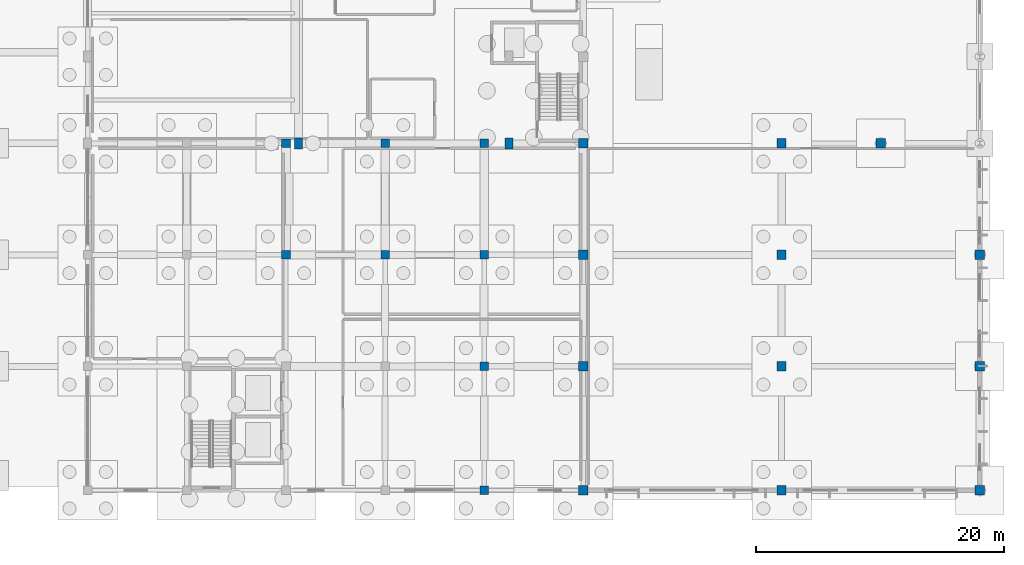
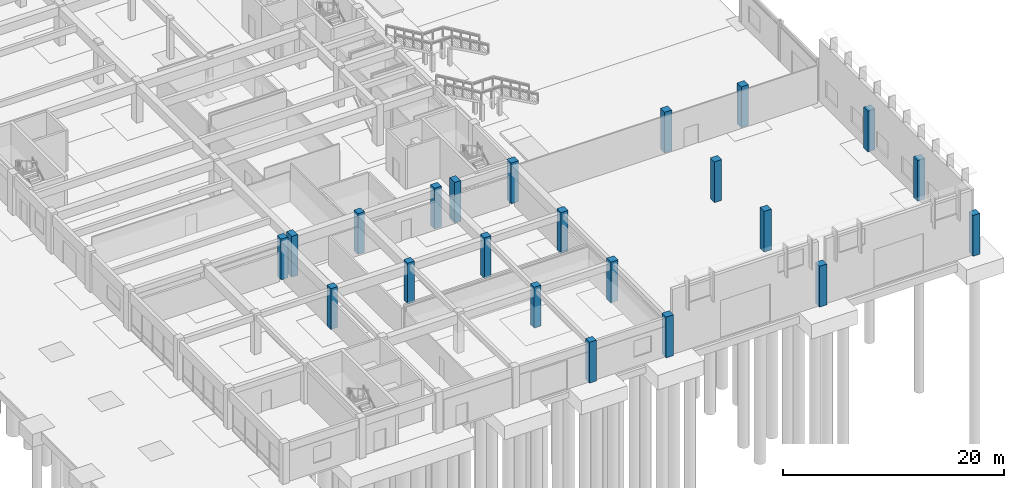
# One storey, part 14 of 84: 22 columns.
"""IFC4 building model written with IfcOpenShell, lengths in metres."""

from ifc_helpers import new_model, si_unit, direction, frame, origin, origin_2d, place, context, subcontext, project, spatial, rectangle, extrude, material, material_profile, profile_set, type_object, element, save


model = new_model("IFC4")

# Units and contexts
model_context = context("Model", 3, precision=1e-05, world=origin(), true_north=direction((0.0, 1.0)))
body_context = subcontext(model_context, "Body", "Model", "MODEL_VIEW")
ifc_project = project(units=[si_unit("LENGTHUNIT", "METRE"), si_unit("AREAUNIT", "SQUARE_METRE"), si_unit("VOLUMEUNIT", "CUBIC_METRE"), si_unit("PLANEANGLEUNIT", "RADIAN"), si_unit("MASSUNIT", "GRAM", prefix="KILO")], contexts=[model_context])

# Site, building, storey
site_placement = place(None, origin())
site = spatial("IfcSite", under=ifc_project, at=site_placement, CompositionType="ELEMENT")
building_placement = place(site_placement, origin())
building = spatial("IfcBuilding", under=site, at=building_placement, Name="Larkveld Mobility Hub", CompositionType="ELEMENT")
storey_placement = place(building_placement, origin())
storey = spatial("IfcBuildingStorey", under=building, at=storey_placement, Name="L00", CompositionType="ELEMENT", Elevation=0.0)

# Columns
ifc_material_1 = material(Name="Precast concrete C50/60", Category="concrete")
ifc_material_profile_1 = material_profile(ifc_material_1, rectangle(XDim=0.64990234375, YDim=0.89990234375, at=origin_2d()), Name="RC COL 650x900")
ifc_profile_set_1 = profile_set([ifc_material_profile_1], Name="Precast concrete C50/60")
column_type_1 = type_object("IfcColumnType", Name="CL-PC6590", PredefinedType="COLUMN", material=ifc_profile_set_1)
for number, where, z_axis, x_axis, name in (
    (1, (129.0, 28.0, 0.0), (0.0, 0.0, 1.0), (1.0, 0.0, 0.0), "Column EV-X129-Y28 (L00)"),
    (2, (146.0, 28.0, 0.0), (0.0, 0.0, 1.0), (1.0, 0.0, 0.0), "Column EV-X146-Y28 (L00)"),
):
    element("IfcColumn", number, at=place(storey_placement, frame(where, z_axis=z_axis, x_axis=x_axis)), inside=storey, type_object=column_type_1, Name=name, PredefinedType="COLUMN", context=body_context, shape_type="SweptSolid", body=[
        extrude(rectangle(XDim=0.64990234375, YDim=0.89990234375, at=origin_2d()), origin(), (0.0, 0.0, 1.0), 4.5),
    ])
ifc_material_2 = material(Name="Concrete C40/50", Category="concrete")
ifc_material_profile_2 = material_profile(ifc_material_2, rectangle(XDim=0.699951171875, YDim=0.699951171875, at=origin_2d()), Name="RC COL 700x700")
ifc_profile_set_2 = profile_set([ifc_material_profile_2], Name="Concrete C40/50")
column_type_2 = type_object("IfcColumnType", Name="CL-RC700", PredefinedType="COLUMN", material=ifc_profile_set_2)
for number, where, z_axis, x_axis, name in (
    (3, (128.0, 19.0, 0.0), (0.0, 0.0, 1.0), (1.0, 0.0, 0.0), "Column V6-X128-Y19 (L00)"),
    (4, (128.0, 28.0, 0.0), (0.0, 0.0, 1.0), (1.0, 0.0, 0.0), "Column V6-X128-Y28 (L00)"),
    (5, (136.0, 19.0, 0.0), (0.0, 0.0, 1.0), (1.0, 0.0, 0.0), "Column V6-X136-Y19 (L00)"),
    (6, (136.0, 28.0, 0.0), (0.0, 0.0, 1.0), (1.0, 0.0, 0.0), "Column V6-X136-Y28 (L00)"),
    (7, (144.0, 0.0, 0.0), (0.0, 0.0, 1.0), (1.0, 0.0, 0.0), "Column V6-X144-Y0 (L00)"),
    (8, (144.0, 10.0, 0.0), (0.0, 0.0, 1.0), (1.0, 0.0, 0.0), "Column V6-X144-Y10 (L00)"),
    (9, (144.0, 19.0, 0.0), (0.0, 0.0, 1.0), (1.0, 0.0, 0.0), "Column V6-X144-Y19 (L00)"),
    (10, (144.0, 28.0, 0.0), (0.0, 0.0, 1.0), (1.0, 0.0, 0.0), "Column V6-X144-Y28 (L00)"),
):
    element("IfcColumn", number, at=place(storey_placement, frame(where, z_axis=z_axis, x_axis=x_axis)), inside=storey, type_object=column_type_2, Name=name, PredefinedType="COLUMN", context=body_context, shape_type="SweptSolid", body=[
        extrude(rectangle(XDim=0.699951171875, YDim=0.699951171875, at=origin_2d()), origin(), (0.0, 0.0, 1.0), 4.5),
    ])
ifc_material_profile_3 = material_profile(ifc_material_2, rectangle(XDim=0.75, YDim=0.75, at=origin_2d()), Name="RC COL 750x750")
ifc_profile_set_3 = profile_set([ifc_material_profile_3], Name="Concrete C40/50")
column_type_3 = type_object("IfcColumnType", Name="CL-RC750", PredefinedType="COLUMN", material=ifc_profile_set_3)
for number, where, z_axis, x_axis, name in (
    (11, (152.0, 28.0, 0.0), (0.0, 0.0, 1.0), (1.0, 0.0, 0.0), "Column EV-X152-Y28 (L00)"),
    (12, (152.0, 0.0, 0.0), (0.0, 0.0, 1.0), (1.0, 0.0, 0.0), "Column V6-X152-Y0 (L00)"),
    (13, (152.0, 10.0, 0.0), (0.0, 0.0, 1.0), (1.0, 0.0, 0.0), "Column V6-X152-Y10 (L00)"),
    (14, (152.0, 19.0, 0.0), (0.0, 0.0, 1.0), (1.0, 0.0, 0.0), "Column V6-X152-Y19 (L00)"),
    (15, (168.0, 0.0, 0.0), (0.0, 0.0, 1.0), (1.0, 0.0, 0.0), "Column V6-X168-Y0 (L00)"),
    (16, (168.0, 10.0, 0.0), (0.0, 0.0, 1.0), (1.0, 0.0, 0.0), "Column V6-X168-Y10 (L00)"),
    (17, (168.0, 19.0, 0.0), (0.0, 0.0, 1.0), (1.0, 0.0, 0.0), "Column V6-X168-Y19 (L00)"),
    (18, (168.0, 28.0, 0.0), (0.0, 0.0, 1.0), (1.0, 0.0, 0.0), "Column V6-X168-Y28 (L00)"),
    (19, (176.0, 28.0, 0.0), (0.0, 0.0, 1.0), (1.0, 0.0, 0.0), "Column V6-X176-Y28 (L00)"),
    (20, (184.0, 0.0, 0.0), (0.0, 0.0, 1.0), (1.0, 0.0, 0.0), "Column V6-X184-Y0 (L00)"),
    (21, (184.0, 10.0, 0.0), (0.0, 0.0, 1.0), (1.0, 0.0, 0.0), "Column V6-X184-Y10 (L00)"),
    (22, (184.0, 19.0, 0.0), (0.0, 0.0, 1.0), (1.0, 0.0, 0.0), "Column V6-X184-Y19 (L00)"),
):
    element("IfcColumn", number, at=place(storey_placement, frame(where, z_axis=z_axis, x_axis=x_axis)), inside=storey, type_object=column_type_3, Name=name, PredefinedType="COLUMN", context=body_context, shape_type="SweptSolid", body=[
        extrude(rectangle(XDim=0.75, YDim=0.75, at=origin_2d()), origin(), (0.0, 0.0, 1.0), 4.5),
    ])

save(model, "model.ifc")
